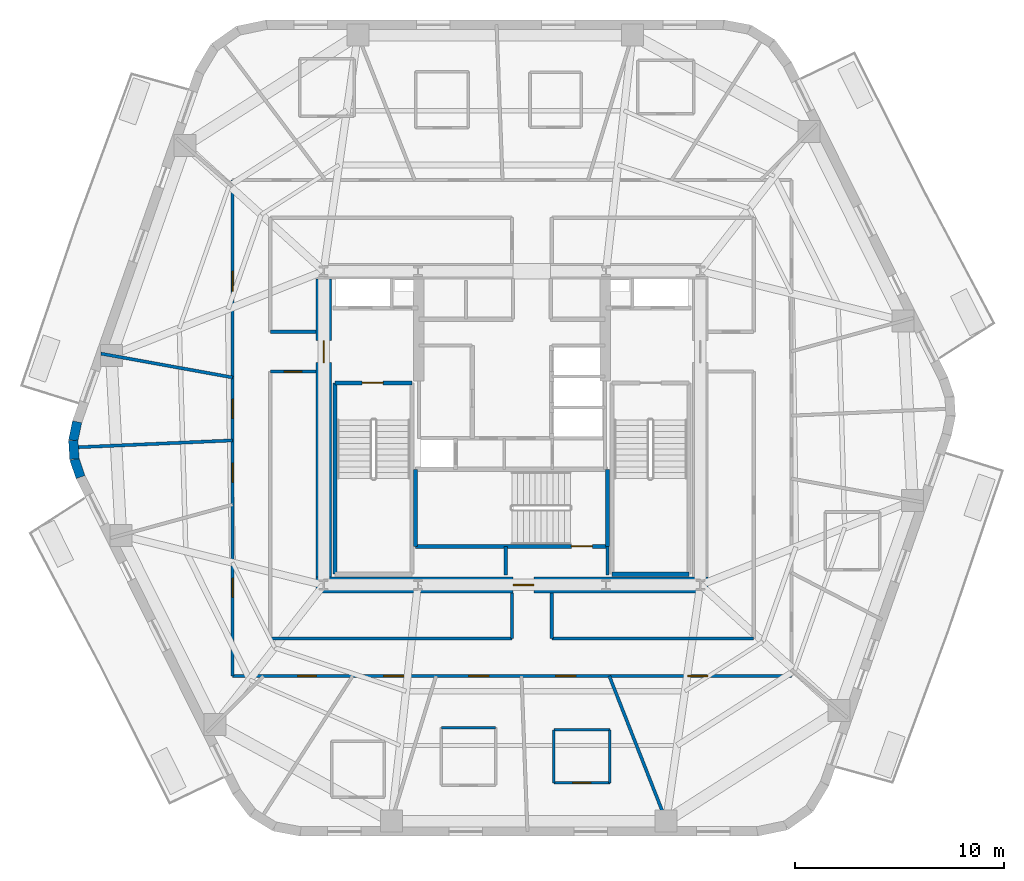
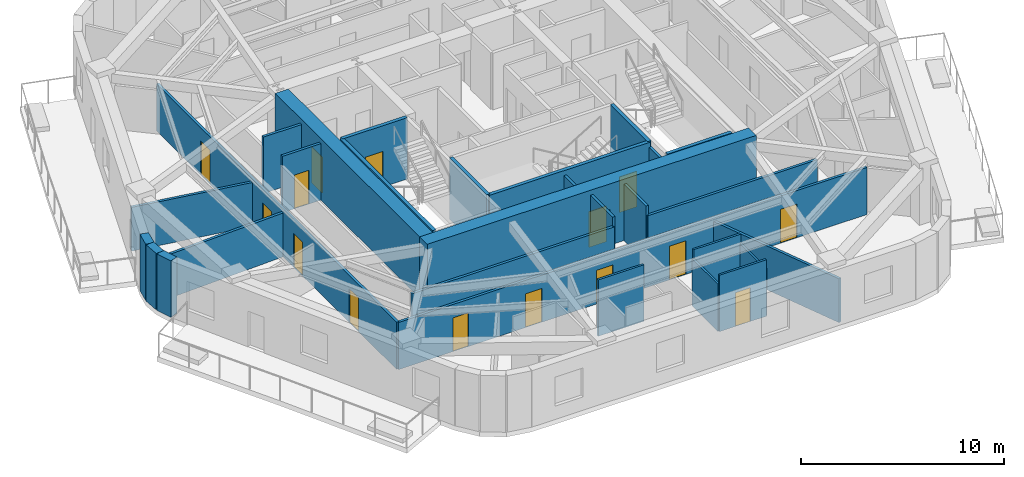
# One storey, part 3 of 10: 29 walls, 15 doors, 15 openings.
"""IFC4 building model written with IfcOpenShell, lengths in metres."""

from ifc_helpers import new_model, si_unit, direction, frame, frame_2d, origin, place, context, subcontext, project, spatial, rectangle, extrude, material, layer, layer_set, type_object, element, fill, save


model = new_model("IFC4")

# Units and contexts
model_context = context("Model", 3, precision=1e-05, world=origin(), true_north=direction((0.0, 1.0)))
body_context = subcontext(model_context, "Body", "Model", "MODEL_VIEW")
ifc_project = project(units=[si_unit("LENGTHUNIT", "METRE"), si_unit("AREAUNIT", "SQUARE_METRE"), si_unit("VOLUMEUNIT", "CUBIC_METRE"), si_unit("PLANEANGLEUNIT", "RADIAN"), si_unit("MASSUNIT", "GRAM", prefix="KILO")], contexts=[model_context])

# Site, building, storey
site_placement = place(None, origin())
site = spatial("IfcSite", under=ifc_project, at=site_placement, CompositionType="ELEMENT")
building_placement = place(site_placement, origin())
building = spatial("IfcBuilding", under=site, at=building_placement, Name="Kilnhurst Terrace Hotel", CompositionType="ELEMENT")
storey_placement = place(building_placement, frame((0.0, 0.0, 175.60009765625)))
storey = spatial("IfcBuildingStorey", under=building, at=storey_placement, Name="L43", CompositionType="ELEMENT", Elevation=175.60009765625)

# Walls
ifc_material_1 = material(Name="Precast concrete C40/50", Category="concrete")
ifc_layer_1 = layer(ifc_material_1, 0.449951171875, Name="Precast concrete C40/50")
ifc_layer_set_1 = layer_set([ifc_layer_1], Name="Precast concrete C40/50")
wall_type_1 = type_object("IfcWallType", Name="WL-BRK-450", PredefinedType="SOLIDWALL", material=ifc_layer_set_1)
wall_1_placement = place(storey_placement, frame((-20.78173828125, 0.298095703125, 0.0), z_axis=(0.0, 0.0, 1.0), x_axis=(-0.202570068411, -0.979267771033, 0.0)))
element("IfcWall", 1, at=wall_1_placement, inside=storey, type_object=wall_type_1, Name="L43 Rounded Corner Brick Wall C6.1", PredefinedType="SOLIDWALL", context=body_context, shape_type="SweptSolid", body=[
    extrude(rectangle(XDim=0.90869140625, YDim=0.449951171875, at=frame_2d((0.454345703125, 0.0))), origin(), (0.0, 0.0, 1.0), 3.39990234375),
])
wall_2_placement = place(storey_placement, frame((-20.9658203125, -0.591796875, 0.0), z_axis=(0.0, 0.0, 1.0), x_axis=(0.061748898935, -0.998091715966, 0.0)))
element("IfcWall", 2, at=wall_2_placement, inside=storey, type_object=wall_type_1, Name="L43 Rounded Corner Brick Wall C6.2", PredefinedType="SOLIDWALL", context=body_context, shape_type="SweptSolid", body=[
    extrude(rectangle(XDim=0.8935546875, YDim=0.449951171875, at=frame_2d((0.44677734375, 0.0))), origin(), (0.0, 0.0, 1.0), 3.39990234375),
])
wall_3_placement = place(storey_placement, frame((-20.91064453125, -1.483642578125, 0.0), z_axis=(0.0, 0.0, 1.0), x_axis=(0.321623334353, -0.946867694453, 0.0)))
element("IfcWall", 3, at=wall_3_placement, inside=storey, type_object=wall_type_1, Name="L43 Rounded Corner Brick Wall C6.3", PredefinedType="SOLIDWALL", context=body_context, shape_type="SweptSolid", body=[
    extrude(rectangle(XDim=0.90869140625, YDim=0.449951171875, at=frame_2d((0.454345703125, 0.0))), origin(), (0.0, 0.0, 1.0), 3.39990234375),
])

# Wall, openings, doors
ifc_material_2 = material(Name="Acoustic Double-Gypsum Corridor Partition Assembly")
ifc_layer_2 = layer(ifc_material_2, 0.14990234375, Name="Acoustic Double-Gypsum Corridor Partition Assembly")
ifc_layer_set_2 = layer_set([ifc_layer_2], Name="Acoustic Double-Gypsum Corridor Partition Assembly")
wall_type_2 = type_object("IfcWallType", Name="WL-COR-150", PredefinedType="PARTITIONING", material=ifc_layer_set_2)
wall_4_placement = place(storey_placement, frame((13.35009765625, -11.85009765625, 0.0), z_axis=(0.0, 0.0, 1.0), x_axis=(-1.0, 0.0, 0.0)))
wall_4 = element("IfcWall", 4, at=wall_4_placement, inside=storey, type_object=wall_type_2, Name="L43 Interior Wall WL-L43-COR-01", PredefinedType="PARTITIONING", context=body_context, shape_type="SweptSolid", body=[
    extrude(rectangle(XDim=26.7001953125, YDim=0.14990234375, at=frame_2d((13.35009765625, 0.0))), origin(), (0.0, 0.0, 1.0), 2.83984375),
])
opening_1_placement = place(wall_4_placement, frame((22.699951171875, 0.0, 0.0)))
opening_1 = element("IfcOpeningElement", 5, at=opening_1_placement, cuts=wall_4, Name="Opening D-60C", PredefinedType="OPENING", context=body_context, shape_type="SweptSolid", body=[
    extrude(rectangle(XDim=0.89990234375, YDim=2.030029296875, at=frame_2d((0.449951171875, 1.01513671875))), frame((0.0, 0.0849609375, 0.0), z_axis=(0.0, -1.0, 0.0), x_axis=(1.0, 0.0, 0.0)), (0.0, 0.0, 1.0), 0.169921875),
])
opening_2_placement = place(wall_4_placement, frame((18.52294921875, 0.0, 0.0)))
opening_2 = element("IfcOpeningElement", 6, at=opening_2_placement, cuts=wall_4, Name="Opening D-60B", PredefinedType="OPENING", context=body_context, shape_type="SweptSolid", body=[
    extrude(rectangle(XDim=0.949951171875, YDim=2.030029296875, at=frame_2d((0.47509765625, 1.01513671875))), frame((0.0, 0.0849609375, 0.0), z_axis=(0.0, -1.0, 0.0), x_axis=(1.0, 0.0, 0.0)), (0.0, 0.0, 1.0), 0.169921875),
])
opening_3_placement = place(wall_4_placement, frame((14.468994140625, 0.0, 0.0)))
opening_3 = element("IfcOpeningElement", 7, at=opening_3_placement, cuts=wall_4, Name="Opening D-60B", PredefinedType="OPENING", context=body_context, shape_type="SweptSolid", body=[
    extrude(rectangle(XDim=0.949951171875, YDim=2.030029296875, at=frame_2d((0.47509765625, 1.01513671875))), frame((0.0, 0.0849609375, 0.0), z_axis=(0.0, -1.0, 0.0), x_axis=(1.0, 0.0, 0.0)), (0.0, 0.0, 1.0), 0.169921875),
])
opening_4_placement = place(wall_4_placement, frame((10.31396484375, 0.0, 0.0)))
opening_4 = element("IfcOpeningElement", 8, at=opening_4_placement, cuts=wall_4, Name="Opening D-60B", PredefinedType="OPENING", context=body_context, shape_type="SweptSolid", body=[
    extrude(rectangle(XDim=0.949951171875, YDim=2.030029296875, at=frame_2d((0.47509765625, 1.01513671875))), frame((0.0, 0.0849609375, 0.0), z_axis=(0.0, -1.0, 0.0), x_axis=(1.0, 0.0, 0.0)), (0.0, 0.0, 1.0), 0.169921875),
])
opening_5_placement = place(wall_4_placement, frame((3.9951171875, 0.0, 0.0)))
opening_5 = element("IfcOpeningElement", 9, at=opening_5_placement, cuts=wall_4, Name="Opening D-60B", PredefinedType="OPENING", context=body_context, shape_type="SweptSolid", body=[
    extrude(rectangle(XDim=0.949951171875, YDim=2.030029296875, at=frame_2d((0.47509765625, 1.01513671875))), frame((0.0, 0.0849609375, 0.0), z_axis=(0.0, -1.0, 0.0), x_axis=(1.0, 0.0, 0.0)), (0.0, 0.0, 1.0), 0.169921875),
])
ifc_material_3 = material(Name="Painted Solid-Core Service Fire Door")
door_type_1 = type_object("IfcDoorType", Name="DR-FD60-900", OperationType="NOTDEFINED", PredefinedType="DOOR", material=ifc_material_3)
door_1_placement = place(opening_1_placement, origin())
door_1 = element("IfcDoor", 10, at=door_1_placement, inside=storey, type_object=door_type_1, Name="L43 Executive Work Office Door 13", OperationType="SINGLE_SWING_LEFT", OverallHeight=2.030029296875, OverallWidth=0.89990234375, PredefinedType="DOOR", context=body_context, shape_type="SweptSolid", body=[
    extrude(rectangle(XDim=0.89990234375, YDim=2.030029296875, at=frame_2d((0.449951171875, 1.01513671875))), frame((0.0, 0.02490234375, 0.0), z_axis=(0.0, -1.0, 0.0), x_axis=(1.0, 0.0, 0.0)), (0.0, 0.0, 1.0), 0.050048828125),
])
fill(opening_1, door_1)
ifc_material_4 = material(Name="Acoustic Walnut Veneer Solid-Core Fire Door")
door_type_2 = type_object("IfcDoorType", Name="DR-FD60-950", OperationType="NOTDEFINED", PredefinedType="DOOR", material=ifc_material_4)
door_2_placement = place(opening_2_placement, origin())
door_2 = element("IfcDoor", 11, at=door_2_placement, inside=storey, type_object=door_type_2, Name="L43 Guest Room Entry Door 14", OperationType="SINGLE_SWING_RIGHT", OverallHeight=2.030029296875, OverallWidth=0.949951171875, PredefinedType="DOOR", context=body_context, shape_type="SweptSolid", body=[
    extrude(rectangle(XDim=0.949951171875, YDim=2.030029296875, at=frame_2d((0.47509765625, 1.01513671875))), frame((0.0, 0.02490234375, 0.0), z_axis=(0.0, -1.0, 0.0), x_axis=(1.0, 0.0, 0.0)), (0.0, 0.0, 1.0), 0.050048828125),
])
fill(opening_2, door_2)
door_3_placement = place(opening_3_placement, origin())
door_3 = element("IfcDoor", 12, at=door_3_placement, inside=storey, type_object=door_type_2, Name="L43 Guest Room Entry Door 15", OperationType="SINGLE_SWING_LEFT", OverallHeight=2.030029296875, OverallWidth=0.949951171875, PredefinedType="DOOR", context=body_context, shape_type="SweptSolid", body=[
    extrude(rectangle(XDim=0.949951171875, YDim=2.030029296875, at=frame_2d((0.47509765625, 1.01513671875))), frame((0.0, 0.02490234375, 0.0), z_axis=(0.0, -1.0, 0.0), x_axis=(1.0, 0.0, 0.0)), (0.0, 0.0, 1.0), 0.050048828125),
])
fill(opening_3, door_3)
door_4_placement = place(opening_4_placement, origin())
door_4 = element("IfcDoor", 13, at=door_4_placement, inside=storey, type_object=door_type_2, Name="L43 Guest Room Entry Door 16", OperationType="SINGLE_SWING_RIGHT", OverallHeight=2.030029296875, OverallWidth=0.949951171875, PredefinedType="DOOR", context=body_context, shape_type="SweptSolid", body=[
    extrude(rectangle(XDim=0.949951171875, YDim=2.030029296875, at=frame_2d((0.47509765625, 1.01513671875))), frame((0.0, 0.02490234375, 0.0), z_axis=(0.0, -1.0, 0.0), x_axis=(1.0, 0.0, 0.0)), (0.0, 0.0, 1.0), 0.050048828125),
])
fill(opening_4, door_4)
door_5_placement = place(opening_5_placement, origin())
door_5 = element("IfcDoor", 14, at=door_5_placement, inside=storey, type_object=door_type_2, Name="L43 Wellness Spa Room Door", OperationType="SINGLE_SWING_LEFT", OverallHeight=2.030029296875, OverallWidth=0.949951171875, PredefinedType="DOOR", context=body_context, shape_type="SweptSolid", body=[
    extrude(rectangle(XDim=0.949951171875, YDim=2.030029296875, at=frame_2d((0.47509765625, 1.01513671875))), frame((0.0, 0.02490234375, 0.0), z_axis=(0.0, -1.0, 0.0), x_axis=(1.0, 0.0, 0.0)), (0.0, 0.0, 1.0), 0.050048828125),
])
fill(opening_5, door_5)

wall_5_placement = place(storey_placement, frame((-13.35009765625, -11.85009765625, 0.0), z_axis=(0.0, 0.0, 1.0), x_axis=(0.0, 1.0, 0.0)))
wall_5 = element("IfcWall", 15, at=wall_5_placement, inside=storey, type_object=wall_type_2, Name="L43 Interior Wall WL-L43-COR-02", PredefinedType="PARTITIONING", context=body_context, shape_type="SweptSolid", body=[
    extrude(rectangle(XDim=23.7001953125, YDim=0.14990234375, at=frame_2d((11.85009765625, 0.0))), origin(), (0.0, 0.0, 1.0), 2.83984375),
])
opening_6_placement = place(wall_5_placement, frame((18.388916015625, 0.0, 0.0)))
opening_6 = element("IfcOpeningElement", 16, at=opening_6_placement, cuts=wall_5, Name="Opening D-60B", PredefinedType="OPENING", context=body_context, shape_type="SweptSolid", body=[
    extrude(rectangle(XDim=0.949951171875, YDim=2.030029296875, at=frame_2d((0.47509765625, 1.01513671875))), frame((0.0, 0.0849609375, 0.0), z_axis=(0.0, -1.0, 0.0), x_axis=(1.0, 0.0, 0.0)), (0.0, 0.0, 1.0), 0.169921875),
])
opening_7_placement = place(wall_5_placement, frame((12.31494140625, 0.0, 0.0)))
opening_7 = element("IfcOpeningElement", 17, at=opening_7_placement, cuts=wall_5, Name="Opening D-60C", PredefinedType="OPENING", context=body_context, shape_type="SweptSolid", body=[
    extrude(rectangle(XDim=0.89990234375, YDim=2.030029296875, at=frame_2d((0.449951171875, 1.01513671875))), frame((0.0, 0.0849609375, 0.0), z_axis=(0.0, -1.0, 0.0), x_axis=(1.0, 0.0, 0.0)), (0.0, 0.0, 1.0), 0.169921875),
])
opening_8_placement = place(wall_5_placement, frame((9.27001953125, 0.0, 0.0)))
opening_8 = element("IfcOpeningElement", 18, at=opening_8_placement, cuts=wall_5, Name="Opening D-60C", PredefinedType="OPENING", context=body_context, shape_type="SweptSolid", body=[
    extrude(rectangle(XDim=0.89990234375, YDim=2.030029296875, at=frame_2d((0.449951171875, 1.01513671875))), frame((0.0, 0.0849609375, 0.0), z_axis=(0.0, -1.0, 0.0), x_axis=(1.0, 0.0, 0.0)), (0.0, 0.0, 1.0), 0.169921875),
])
opening_9_placement = place(wall_5_placement, frame((3.764892578125, 0.0, 0.0)))
opening_9 = element("IfcOpeningElement", 19, at=opening_9_placement, cuts=wall_5, Name="Opening D-60C", PredefinedType="OPENING", context=body_context, shape_type="SweptSolid", body=[
    extrude(rectangle(XDim=0.89990234375, YDim=2.030029296875, at=frame_2d((0.449951171875, 1.01513671875))), frame((0.0, 0.0849609375, 0.0), z_axis=(0.0, -1.0, 0.0), x_axis=(1.0, 0.0, 0.0)), (0.0, 0.0, 1.0), 0.169921875),
])
door_6_placement = place(opening_7_placement, origin())
door_6 = element("IfcDoor", 20, at=door_6_placement, inside=storey, type_object=door_type_1, Name="L43 Wellness Consultation Room Door 10", OperationType="SINGLE_SWING_RIGHT", OverallHeight=2.030029296875, OverallWidth=0.89990234375, PredefinedType="DOOR", context=body_context, shape_type="SweptSolid", body=[
    extrude(rectangle(XDim=0.89990234375, YDim=2.030029296875, at=frame_2d((0.449951171875, 1.01513671875))), frame((0.0, 0.02490234375, 0.0), z_axis=(0.0, -1.0, 0.0), x_axis=(1.0, 0.0, 0.0)), (0.0, 0.0, 1.0), 0.050048828125),
])
fill(opening_7, door_6)
door_7_placement = place(opening_8_placement, origin())
door_7 = element("IfcDoor", 21, at=door_7_placement, inside=storey, type_object=door_type_1, Name="L43 Private Tasting Dining Room Door 11", OperationType="SINGLE_SWING_LEFT", OverallHeight=2.030029296875, OverallWidth=0.89990234375, PredefinedType="DOOR", context=body_context, shape_type="SweptSolid", body=[
    extrude(rectangle(XDim=0.89990234375, YDim=2.030029296875, at=frame_2d((0.449951171875, 1.01513671875))), frame((0.0, 0.02490234375, 0.0), z_axis=(0.0, -1.0, 0.0), x_axis=(1.0, 0.0, 0.0)), (0.0, 0.0, 1.0), 0.050048828125),
])
fill(opening_8, door_7)
door_8_placement = place(opening_9_placement, origin())
door_8 = element("IfcDoor", 22, at=door_8_placement, inside=storey, type_object=door_type_1, Name="L43 Private Study Salon Door 12", OperationType="SINGLE_SWING_RIGHT", OverallHeight=2.030029296875, OverallWidth=0.89990234375, PredefinedType="DOOR", context=body_context, shape_type="SweptSolid", body=[
    extrude(rectangle(XDim=0.89990234375, YDim=2.030029296875, at=frame_2d((0.449951171875, 1.01513671875))), frame((0.0, 0.02490234375, 0.0), z_axis=(0.0, -1.0, 0.0), x_axis=(1.0, 0.0, 0.0)), (0.0, 0.0, 1.0), 0.050048828125),
])
fill(opening_9, door_8)
door_9_placement = place(opening_6_placement, origin())
door_9 = element("IfcDoor", 23, at=door_9_placement, inside=storey, type_object=door_type_2, Name="L43 Club Reading Lounge Door", OperationType="SINGLE_SWING_LEFT", OverallHeight=2.030029296875, OverallWidth=0.949951171875, PredefinedType="DOOR", context=body_context, shape_type="SweptSolid", body=[
    extrude(rectangle(XDim=0.949951171875, YDim=2.030029296875, at=frame_2d((0.47509765625, 1.01513671875))), frame((0.0, 0.02490234375, 0.0), z_axis=(0.0, -1.0, 0.0), x_axis=(1.0, 0.0, 0.0)), (0.0, 0.0, 1.0), 0.050048828125),
])
fill(opening_6, door_9)

# Wall
wall_6_placement = place(storey_placement, frame((-11.550048828125, 4.60009765625, 0.0), z_axis=(0.0, 0.0, 1.0), x_axis=(1.0, 0.0, 0.0)))
element("IfcWall", 24, at=wall_6_placement, inside=storey, type_object=wall_type_2, Name="L43 Interior Wall WL-L43-COR-14", PredefinedType="PARTITIONING", context=body_context, shape_type="SweptSolid", body=[
    extrude(rectangle(XDim=2.175048828125, YDim=0.14990234375, at=frame_2d((1.08740234375, 0.0))), origin(), (0.0, 0.0, 1.0), 3.39990234375),
])

# Wall, opening, door
wall_7_placement = place(storey_placement, frame((-9.375, 2.699951171875, 0.0), z_axis=(0.0, 0.0, 1.0), x_axis=(-1.0, 0.0, 0.0)))
wall_7 = element("IfcWall", 25, at=wall_7_placement, inside=storey, type_object=wall_type_2, Name="L43 Interior Wall WL-L43-COR-15", PredefinedType="PARTITIONING", context=body_context, shape_type="SweptSolid", body=[
    extrude(rectangle(XDim=2.175048828125, YDim=0.14990234375, at=frame_2d((1.08740234375, 0.0))), origin(), (0.0, 0.0, 1.0), 3.39990234375),
])
opening_10_placement = place(wall_7_placement, frame((0.6630859375, 0.0, 0.0)))
opening_10 = element("IfcOpeningElement", 26, at=opening_10_placement, cuts=wall_7, Name="Opening D-60D", PredefinedType="OPENING", context=body_context, shape_type="SweptSolid", body=[
    extrude(rectangle(XDim=0.85009765625, YDim=2.030029296875, at=frame_2d((0.425048828125, 1.01513671875))), frame((0.0, 0.0849609375, 0.0), z_axis=(0.0, -1.0, 0.0), x_axis=(1.0, 0.0, 0.0)), (0.0, 0.0, 1.0), 0.169921875),
])
ifc_material_5 = material(Name="Painted Hollow Metal Steel ASTM A36 Riser Door", Category="steel")
door_type_3 = type_object("IfcDoorType", Name="DR-FD60-850", OperationType="NOTDEFINED", PredefinedType="DOOR", material=ifc_material_5)
door_10_placement = place(opening_10_placement, origin())
door_10 = element("IfcDoor", 27, at=door_10_placement, inside=storey, type_object=door_type_3, Name="L43 Floor Linen Storage Room Door", OperationType="SINGLE_SWING_LEFT", OverallHeight=2.030029296875, OverallWidth=0.85009765625, PredefinedType="DOOR", context=body_context, shape_type="SweptSolid", body=[
    extrude(rectangle(XDim=0.85009765625, YDim=2.030029296875, at=frame_2d((0.425048828125, 1.01513671875))), frame((0.0, 0.02490234375, 0.0), z_axis=(0.0, -1.0, 0.0), x_axis=(1.0, 0.0, 0.0)), (0.0, 0.0, 1.0), 0.050048828125),
])
fill(opening_10, door_10)

# Walls
wall_8_placement = place(storey_placement, frame((-11.550048828125, -10.050048828125, 0.0), z_axis=(0.0, 0.0, 1.0), x_axis=(1.0, 0.0, 0.0)))
element("IfcWall", 28, at=wall_8_placement, inside=storey, type_object=wall_type_2, Name="L43 Interior Wall WL-L43-COR-17", PredefinedType="PARTITIONING", context=body_context, shape_type="SweptSolid", body=[
    extrude(rectangle(XDim=11.550048828125, YDim=0.14990234375, at=frame_2d((5.77490234375, 0.0))), origin(), (0.0, 0.0, 1.0), 2.83984375),
])
for number, where, z_axis, x_axis, name in (
    (29, (0.0, -10.050048828125, 0.0), (0.0, 0.0, 1.0), (0.0, 1.0, 0.0), "L43 Interior Wall WL-L43-COR-18"),
    (30, (1.89990234375, -7.875, 0.0), (0.0, 0.0, 1.0), (0.0, -1.0, 0.0), "L43 Interior Wall WL-L43-COR-19"),
):
    element("IfcWall", number, at=place(storey_placement, frame(where, z_axis=z_axis, x_axis=x_axis)), inside=storey, type_object=wall_type_2, Name=name, PredefinedType="PARTITIONING", context=body_context, shape_type="SweptSolid", body=[
        extrude(rectangle(XDim=2.175048828125, YDim=0.14990234375, at=frame_2d((1.08740234375, 0.0))), origin(), (0.0, 0.0, 1.0), 3.39990234375),
    ])
wall_9_placement = place(storey_placement, frame((1.89990234375, -10.050048828125, 0.0), z_axis=(0.0, 0.0, 1.0), x_axis=(1.0, 0.0, 0.0)))
element("IfcWall", 31, at=wall_9_placement, inside=storey, type_object=wall_type_2, Name="L43 Interior Wall WL-L43-COR-20", PredefinedType="PARTITIONING", context=body_context, shape_type="SweptSolid", body=[
    extrude(rectangle(XDim=9.650146484375, YDim=0.14990234375, at=frame_2d((4.8251953125, 0.0))), origin(), (0.0, 0.0, 1.0), 2.83984375),
])

# Wall, opening, door
ifc_material_6 = material(Name="Concrete C60/75", Category="concrete")
ifc_layer_3 = layer(ifc_material_6, 0.75, Name="Concrete C60/75")
ifc_layer_set_3 = layer_set([ifc_layer_3], Name="Concrete C60/75")
wall_type_3 = type_object("IfcWallType", Name="WL-CORE-750", PredefinedType="SHEAR", material=ifc_layer_set_3)
wall_10_placement = place(storey_placement, frame((-9.375, -7.5, 0.0), z_axis=(0.0, 0.0, 1.0), x_axis=(1.0, 0.0, 0.0)))
wall_10 = element("IfcWall", 32, at=wall_10_placement, inside=storey, type_object=wall_type_3, Name="L43 Core South Shear Wall", PredefinedType="SHEAR", context=body_context, shape_type="SweptSolid", body=[
    extrude(rectangle(XDim=18.75, YDim=0.75, at=frame_2d((9.375, 0.0))), origin(), (0.0, 0.0, 1.0), 3.699951171875),
])
opening_11_placement = place(wall_10_placement, frame((9.425048828125, 0.0, 0.0)))
opening_11 = element("IfcOpeningElement", 33, at=opening_11_placement, cuts=wall_10, Name="Opening D-90B", PredefinedType="OPENING", context=body_context, shape_type="SweptSolid", body=[
    extrude(rectangle(XDim=1.0, YDim=2.14990234375, at=frame_2d((0.5, 1.074951171875))), frame((0.0, 0.385009765625, 0.0), z_axis=(0.0, -1.0, 0.0), x_axis=(1.0, 0.0, 0.0)), (0.0, 0.0, 1.0), 0.77001953125),
])
ifc_material_7 = material(Name="Painted Hollow Metal Steel ASTM A36 Fire Door", Category="steel")
door_type_4 = type_object("IfcDoorType", Name="DR-FD90-1000", OperationType="NOTDEFINED", PredefinedType="DOOR", material=ifc_material_7)
door_11_placement = place(opening_11_placement, origin())
door_11 = element("IfcDoor", 34, at=door_11_placement, inside=storey, type_object=door_type_4, Name="L43 Stair ST-3 Corridor Door", OperationType="SINGLE_SWING_RIGHT", OverallHeight=2.14990234375, OverallWidth=1.0, PredefinedType="DOOR", context=body_context, shape_type="SweptSolid", body=[
    extrude(rectangle(XDim=1.0, YDim=2.14990234375, at=frame_2d((0.5, 1.074951171875))), frame((0.0, 0.02490234375, 0.0), z_axis=(0.0, -1.0, 0.0), x_axis=(1.0, 0.0, 0.0)), (0.0, 0.0, 1.0), 0.050048828125),
])
fill(opening_11, door_11)

wall_11_placement = place(storey_placement, frame((-9.0, -7.125, 0.0), z_axis=(0.0, 0.0, 1.0), x_axis=(0.0, 1.0, 0.0)))
wall_11 = element("IfcWall", 35, at=wall_11_placement, inside=storey, type_object=wall_type_3, Name="L43 Core West Shear Wall", PredefinedType="SHEAR", context=body_context, shape_type="SweptSolid", body=[
    extrude(rectangle(XDim=14.25, YDim=0.75, at=frame_2d((7.125, 0.0))), origin(), (0.0, 0.0, 1.0), 3.699951171875),
])
opening_12_placement = place(wall_11_placement, frame((10.25, 0.0, 0.0)))
opening_12 = element("IfcOpeningElement", 36, at=opening_12_placement, cuts=wall_11, Name="Opening D-90A", PredefinedType="OPENING", context=body_context, shape_type="SweptSolid", body=[
    extrude(rectangle(XDim=1.050048828125, YDim=2.14990234375, at=frame_2d((0.52490234375, 1.074951171875))), frame((0.0, 0.385009765625, 0.0), z_axis=(0.0, -1.0, 0.0), x_axis=(1.0, 0.0, 0.0)), (0.0, 0.0, 1.0), 0.77001953125),
])
door_type_5 = type_object("IfcDoorType", Name="DR-FD90-1050", OperationType="NOTDEFINED", PredefinedType="DOOR", material=ifc_material_7)
door_12_placement = place(opening_12_placement, origin())
door_12 = element("IfcDoor", 37, at=door_12_placement, inside=storey, type_object=door_type_5, Name="L43 West Firefighting Lobby Door", OperationType="SINGLE_SWING_RIGHT", OverallHeight=2.14990234375, OverallWidth=1.050048828125, PredefinedType="DOOR", context=body_context, shape_type="SweptSolid", body=[
    extrude(rectangle(XDim=1.050048828125, YDim=2.14990234375, at=frame_2d((0.52490234375, 1.074951171875))), frame((0.0, 0.02490234375, 0.0), z_axis=(0.0, -1.0, 0.0), x_axis=(1.0, 0.0, 0.0)), (0.0, 0.0, 1.0), 0.050048828125),
])
fill(opening_12, door_12)

# Walls
ifc_material_8 = material(Name="STC-58 Acoustic Twin-Frame Guestroom Demising Partition")
ifc_layer_4 = layer(ifc_material_8, 0.14990234375, Name="STC-58 Acoustic Twin-Frame Guestroom Demising Partition")
ifc_layer_set_4 = layer_set([ifc_layer_4], Name="STC-58 Acoustic Twin-Frame Guestroom Demising Partition")
wall_type_4 = type_object("IfcWallType", Name="WL-DEM-150", PredefinedType="PARTITIONING", material=ifc_layer_set_4)
wall_12_placement = place(storey_placement, frame((-13.35009765625, 2.417236328125, 0.0), z_axis=(0.0, 0.0, 1.0), x_axis=(-0.98399796473, 0.178179699761, 0.0)))
element("IfcWall", 38, at=wall_12_placement, inside=storey, type_object=wall_type_4, Name="L43 Interior Wall WL-L43-DEM-COL06-10-1", PredefinedType="PARTITIONING", context=body_context, shape_type="SweptSolid", body=[
    extrude(rectangle(XDim=6.393310546875, YDim=0.14990234375, at=frame_2d((3.19677734375, 0.0))), origin(), (0.0, 0.0, 1.0), 2.639892578125),
])
wall_13_placement = place(storey_placement, frame((-13.35009765625, -0.591064453125, 0.0), z_axis=(0.0, 0.0, 1.0), x_axis=(-0.999020359631, -0.044252921296, 0.0)))
element("IfcWall", 39, at=wall_13_placement, inside=storey, type_object=wall_type_4, Name="L43 Interior Wall WL-L43-DEM-MID06-11-1", PredefinedType="PARTITIONING", context=body_context, shape_type="SweptSolid", body=[
    extrude(rectangle(XDim=7.4423828125, YDim=0.14990234375, at=frame_2d((3.72119140625, 0.0))), origin(), (0.0, 0.0, 1.0), 2.639892578125),
])
wall_14_placement = place(storey_placement, frame((4.64990234375, -11.85009765625, 0.0), z_axis=(0.0, 0.0, 1.0), x_axis=(0.365265947993, -0.930903210456, 0.0)))
element("IfcWall", 40, at=wall_14_placement, inside=storey, type_object=wall_type_4, Name="L43 Interior Wall WL-L43-DEM-COL10-17-1", PredefinedType="PARTITIONING", context=body_context, shape_type="SweptSolid", body=[
    extrude(rectangle(XDim=7.975830078125, YDim=0.14990234375, at=frame_2d((3.98779296875, 0.0))), origin(), (0.0, 0.0, 1.0), 2.639892578125),
])
ifc_material_9 = material(Name="120 mm Moisture-Resistant Tile-Backed Bathroom Partition")
ifc_layer_5 = layer(ifc_material_9, 0.1201171875, Name="120 mm Moisture-Resistant Tile-Backed Bathroom Partition")
ifc_layer_set_5 = layer_set([ifc_layer_5], Name="120 mm Moisture-Resistant Tile-Backed Bathroom Partition")
wall_type_5 = type_object("IfcWallType", Name="WL-PART-120", PredefinedType="PARTITIONING", material=ifc_layer_set_5)
wall_15_placement = place(storey_placement, frame((-0.780029296875, -14.31298828125, 0.0), z_axis=(0.0, 0.0, 1.0), x_axis=(-1.0, 0.0, 0.0)))
element("IfcWall", 41, at=wall_15_placement, inside=storey, type_object=wall_type_5, Name="L43 Interior Wall WL-L43-BTH-15-3", PredefinedType="PARTITIONING", context=body_context, shape_type="SweptSolid", body=[
    extrude(rectangle(XDim=2.599853515625, YDim=0.1201171875, at=frame_2d((1.2998046875, 0.0))), origin(), (0.0, 0.0, 1.0), 3.39990234375),
])

# Wall, opening, door
wall_16_placement = place(storey_placement, frame((2.0, -16.9580078125, 0.0), z_axis=(0.0, 0.0, 1.0), x_axis=(1.0, 0.0, 0.0)))
wall_16 = element("IfcWall", 42, at=wall_16_placement, inside=storey, type_object=wall_type_5, Name="L43 Interior Wall WL-L43-BTH-16-1", PredefinedType="PARTITIONING", context=body_context, shape_type="SweptSolid", body=[
    extrude(rectangle(XDim=2.679931640625, YDim=0.1201171875, at=frame_2d((1.33984375, 0.0))), origin(), (0.0, 0.0, 1.0), 3.39990234375),
])
opening_13_placement = place(wall_16_placement, frame((0.9150390625, 0.0, 0.0)))
opening_13 = element("IfcOpeningElement", 43, at=opening_13_placement, cuts=wall_16, Name="Opening D-08A", PredefinedType="OPENING", context=body_context, shape_type="SweptSolid", body=[
    extrude(rectangle(XDim=0.85009765625, YDim=2.030029296875, at=frame_2d((0.425048828125, 1.01513671875))), frame((0.0, 0.070068359375, 0.0), z_axis=(0.0, -1.0, 0.0), x_axis=(1.0, 0.0, 0.0)), (0.0, 0.0, 1.0), 0.14013671875),
])
ifc_material_10 = material(Name="Moisture-Resistant Lacquered En-suite Bathroom Door")
door_type_6 = type_object("IfcDoorType", Name="DR-INT-850", OperationType="NOTDEFINED", PredefinedType="DOOR", material=ifc_material_10)
door_13_placement = place(opening_13_placement, origin())
door_13 = element("IfcDoor", 44, at=door_13_placement, inside=storey, type_object=door_type_6, Name="L43 En-suite Bathroom Door 16", OperationType="SINGLE_SWING_LEFT", OverallHeight=2.030029296875, OverallWidth=0.85009765625, PredefinedType="DOOR", context=body_context, shape_type="SweptSolid", body=[
    extrude(rectangle(XDim=0.85009765625, YDim=2.030029296875, at=frame_2d((0.425048828125, 1.01513671875))), frame((0.0, 0.02490234375, 0.0), z_axis=(0.0, -1.0, 0.0), x_axis=(1.0, 0.0, 0.0)), (0.0, 0.0, 1.0), 0.050048828125),
])
fill(opening_13, door_13)

# Walls
wall_17_placement = place(storey_placement, frame((4.679931640625, -16.9580078125, 0.0), z_axis=(0.0, 0.0, 1.0), x_axis=(0.0, 1.0, 0.0)))
element("IfcWall", 45, at=wall_17_placement, inside=storey, type_object=wall_type_5, Name="L43 Interior Wall WL-L43-BTH-16-2", PredefinedType="PARTITIONING", context=body_context, shape_type="SweptSolid", body=[
    extrude(rectangle(XDim=2.5400390625, YDim=0.1201171875, at=frame_2d((1.27001953125, 0.0))), origin(), (0.0, 0.0, 1.0), 2.84033203125),
])
wall_18_placement = place(storey_placement, frame((4.679931640625, -14.41796875, 0.0), z_axis=(0.0, 0.0, 1.0), x_axis=(-1.0, 0.0, 0.0)))
element("IfcWall", 46, at=wall_18_placement, inside=storey, type_object=wall_type_5, Name="L43 Interior Wall WL-L43-BTH-16-3", PredefinedType="PARTITIONING", context=body_context, shape_type="SweptSolid", body=[
    extrude(rectangle(XDim=2.679931640625, YDim=0.1201171875, at=frame_2d((1.33984375, 0.0))), origin(), (0.0, 0.0, 1.0), 3.39990234375),
])
wall_19_placement = place(storey_placement, frame((2.0, -14.41796875, 0.0), z_axis=(0.0, 0.0, 1.0), x_axis=(0.0, -1.0, 0.0)))
element("IfcWall", 47, at=wall_19_placement, inside=storey, type_object=wall_type_5, Name="L43 Interior Wall WL-L43-BTH-16-4", PredefinedType="PARTITIONING", context=body_context, shape_type="SweptSolid", body=[
    extrude(rectangle(XDim=2.5400390625, YDim=0.1201171875, at=frame_2d((1.27001953125, 0.0))), origin(), (0.0, 0.0, 1.0), 2.84033203125),
])
ifc_material_11 = material(Name="Fire-Rated Gypsum Shaftliner Assembly")
ifc_layer_6 = layer(ifc_material_11, 0.14990234375, Name="Fire-Rated Gypsum Shaftliner Assembly")
ifc_layer_set_6 = layer_set([ifc_layer_6], Name="Fire-Rated Gypsum Shaftliner Assembly")
wall_type_6 = type_object("IfcWallType", Name="WL-SHAFT-150", PredefinedType="PARTITIONING", material=ifc_layer_set_6)
for number, where, z_axis, x_axis, name in (
    (48, (-0.300048828125, -7.02001953125, 0.0), (0.0, 0.0, 1.0), (0.0, 1.0, 0.0), "L43 Interior Wall WL-L43-ST3-PSGW"),
    (49, (4.55810546875, -7.02001953125, 0.0), (0.0, 0.0, 1.0), (0.0, 1.0, 0.0), "L43 Interior Wall WL-L43-ST3-PSGE"),
):
    element("IfcWall", number, at=place(storey_placement, frame(where, z_axis=z_axis, x_axis=x_axis)), inside=storey, type_object=wall_type_6, Name=name, PredefinedType="PARTITIONING", context=body_context, shape_type="SweptSolid", body=[
        extrude(rectangle(XDim=1.362060546875, YDim=0.14990234375, at=frame_2d((0.68115234375, 0.0))), origin(), (0.0, 0.0, 1.0), 3.39990234375),
    ])
ifc_material_12 = material(Name="Concrete C50/60", Category="concrete")
ifc_layer_7 = layer(ifc_material_12, 0.199951171875, Name="Concrete C50/60")
ifc_layer_set_7 = layer_set([ifc_layer_7], Name="Concrete C50/60")
wall_type_7 = type_object("IfcWallType", Name="WL-STAIR-RC-200", PredefinedType="SHEAR", material=ifc_layer_set_7)
wall_20_placement = place(storey_placement, frame((-8.4580078125, -6.985107421875, 0.0), z_axis=(0.0, 0.0, 1.0), x_axis=(0.0, 1.0, 0.0)))
element("IfcWall", 50, at=wall_20_placement, inside=storey, type_object=wall_type_7, Name="L43 Structural Stair Shaft Wall WL-L43-ST1-W", PredefinedType="SHEAR", context=body_context, shape_type="SweptSolid", body=[
    extrude(rectangle(XDim=9.14306640625, YDim=0.199951171875, at=frame_2d((4.571533203125, 0.0))), origin(), (0.0, 0.0, 1.0), 3.699951171875),
])

# Wall, opening, door
wall_21_placement = place(storey_placement, frame((-8.4580078125, 2.157958984375, 0.0), z_axis=(0.0, 0.0, 1.0), x_axis=(1.0, 0.0, 0.0)))
wall_21 = element("IfcWall", 51, at=wall_21_placement, inside=storey, type_object=wall_type_7, Name="L43 Structural Stair Shaft Wall WL-L43-ST1-N", PredefinedType="SHEAR", context=body_context, shape_type="SweptSolid", body=[
    extrude(rectangle(XDim=3.68603515625, YDim=0.199951171875, at=frame_2d((1.843017578125, 0.0))), origin(), (0.0, 0.0, 1.0), 3.699951171875),
])
opening_14_placement = place(wall_21_placement, frame((1.300048828125, 0.0, 0.0)))
opening_14 = element("IfcOpeningElement", 52, at=opening_14_placement, cuts=wall_21, Name="Opening D-90B", PredefinedType="OPENING", context=body_context, shape_type="SweptSolid", body=[
    extrude(rectangle(XDim=1.0, YDim=2.14990234375, at=frame_2d((0.5, 1.074951171875))), frame((0.0, 0.10986328125, 0.0), z_axis=(0.0, -1.0, 0.0), x_axis=(1.0, 0.0, 0.0)), (0.0, 0.0, 1.0), 0.219970703125),
])
door_14_placement = place(opening_14_placement, origin())
door_14 = element("IfcDoor", 53, at=door_14_placement, inside=storey, type_object=door_type_4, Name="L43 Stair ST-1 Door", OperationType="SINGLE_SWING_LEFT", OverallHeight=2.14990234375, OverallWidth=1.0, PredefinedType="DOOR", context=body_context, shape_type="SweptSolid", body=[
    extrude(rectangle(XDim=1.0, YDim=2.14990234375, at=frame_2d((0.5, 1.074951171875))), frame((0.0, 0.02490234375, 0.0), z_axis=(0.0, -1.0, 0.0), x_axis=(1.0, 0.0, 0.0)), (0.0, 0.0, 1.0), 0.050048828125),
])
fill(opening_14, door_14)

# Walls
for number, where, z_axis, x_axis, name in (
    (54, (4.77197265625, -6.985107421875, 0.0), (0.0, 0.0, 1.0), (1.0, 0.0, 0.0), "L43 Structural Stair Shaft Wall WL-L43-ST2-S"),
    (55, (-4.60791015625, -5.657958984375, 0.0), (0.0, 0.0, 1.0), (0.0, 1.0, 0.0), "L43 Structural Stair Shaft Wall WL-L43-ST3-W"),
):
    element("IfcWall", number, at=place(storey_placement, frame(where, z_axis=z_axis, x_axis=x_axis)), inside=storey, type_object=wall_type_7, Name=name, PredefinedType="SHEAR", context=body_context, shape_type="SweptSolid", body=[
        extrude(rectangle(XDim=3.68603515625, YDim=0.199951171875, at=frame_2d((1.843017578125, 0.0))), origin(), (0.0, 0.0, 1.0), 3.699951171875),
    ])

# Wall, opening, door
wall_22_placement = place(storey_placement, frame((-4.60791015625, -5.657958984375, 0.0), z_axis=(0.0, 0.0, 1.0), x_axis=(1.0, 0.0, 0.0)))
wall_22 = element("IfcWall", 56, at=wall_22_placement, inside=storey, type_object=wall_type_7, Name="L43 Structural Stair Shaft Wall WL-L43-ST3-S", PredefinedType="SHEAR", context=body_context, shape_type="SweptSolid", body=[
    extrude(rectangle(XDim=9.166015625, YDim=0.199951171875, at=frame_2d((4.5830078125, 0.0))), origin(), (0.0, 0.0, 1.0), 3.699951171875),
])
opening_15_placement = place(wall_22_placement, frame((7.449951171875, 0.0, 0.0)))
opening_15 = element("IfcOpeningElement", 57, at=opening_15_placement, cuts=wall_22, Name="Opening D-90B", PredefinedType="OPENING", context=body_context, shape_type="SweptSolid", body=[
    extrude(rectangle(XDim=1.0, YDim=2.14990234375, at=frame_2d((0.5, 1.074951171875))), frame((0.0, 0.10986328125, 0.0), z_axis=(0.0, -1.0, 0.0), x_axis=(1.0, 0.0, 0.0)), (0.0, 0.0, 1.0), 0.219970703125),
])
door_15_placement = place(opening_15_placement, origin())
door_15 = element("IfcDoor", 58, at=door_15_placement, inside=storey, type_object=door_type_4, Name="L43 Stair ST-3 Shaft Door", OperationType="SINGLE_SWING_LEFT", OverallHeight=2.14990234375, OverallWidth=1.0, PredefinedType="DOOR", context=body_context, shape_type="SweptSolid", body=[
    extrude(rectangle(XDim=1.0, YDim=2.14990234375, at=frame_2d((0.5, 1.074951171875))), frame((0.0, 0.02490234375, 0.0), z_axis=(0.0, -1.0, 0.0), x_axis=(1.0, 0.0, 0.0)), (0.0, 0.0, 1.0), 0.050048828125),
])
fill(opening_15, door_15)

# Wall
wall_23_placement = place(storey_placement, frame((4.55810546875, -5.657958984375, 0.0), z_axis=(0.0, 0.0, 1.0), x_axis=(0.0, 1.0, 0.0)))
element("IfcWall", 59, at=wall_23_placement, inside=storey, type_object=wall_type_7, Name="L43 Structural Stair Shaft Wall WL-L43-ST3-E", PredefinedType="SHEAR", context=body_context, shape_type="SweptSolid", body=[
    extrude(rectangle(XDim=3.68603515625, YDim=0.199951171875, at=frame_2d((1.843017578125, 0.0))), origin(), (0.0, 0.0, 1.0), 3.699951171875),
])

save(model, "model.ifc")
